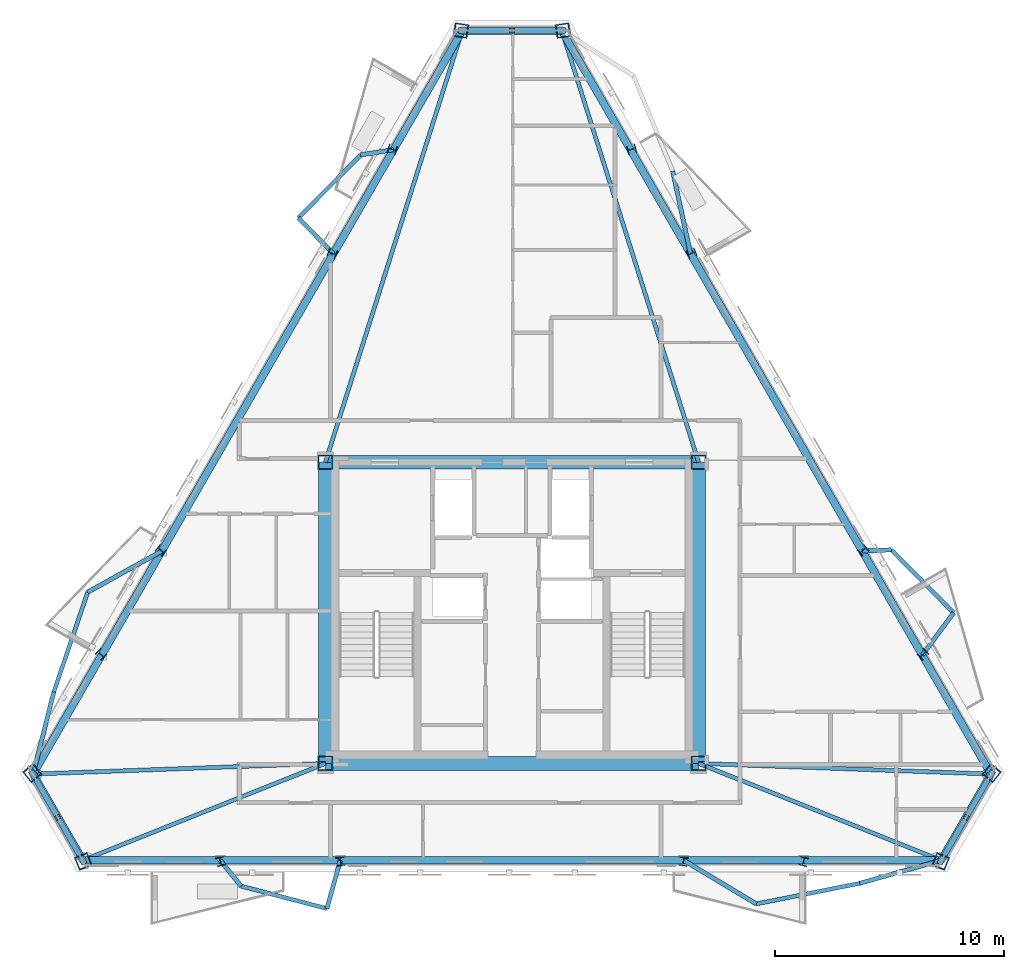
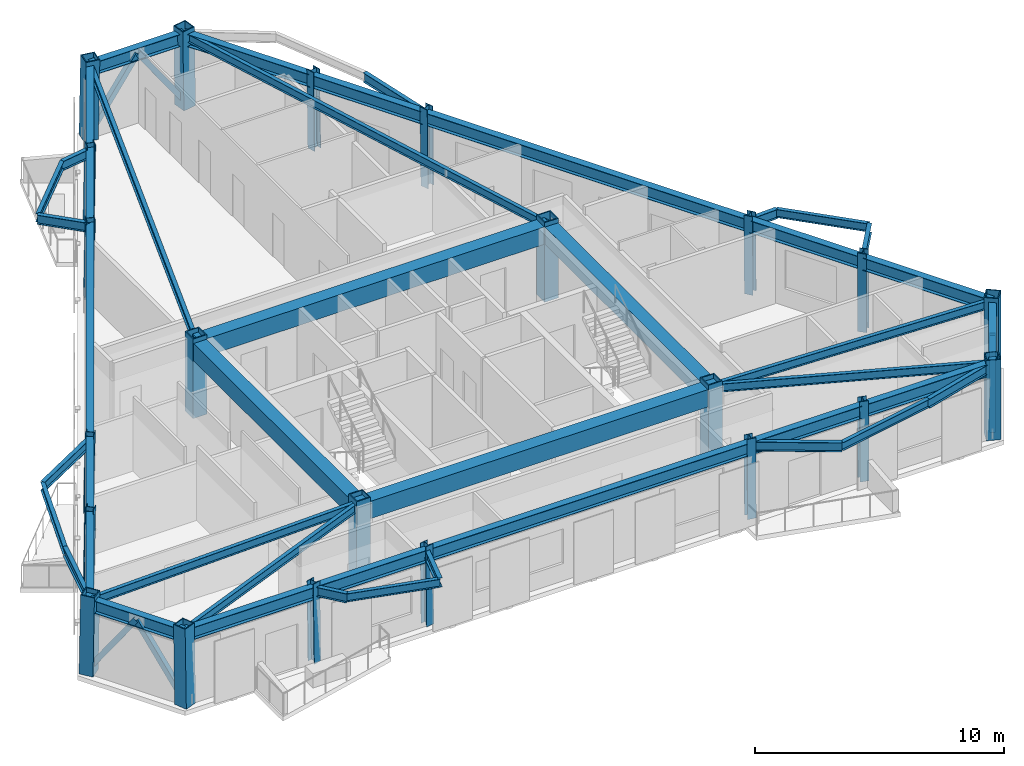
# One storey, part 1 of 9: 44 beams, 22 columns, 6 members.
"""IFC4 building model written with IfcOpenShell, lengths in metres."""

from ifc_helpers import new_model, si_unit, direction, frame, origin, origin_2d, place, context, subcontext, project, spatial, rectangle, hollow_rectangle, i_section, extrude, material, material_profile, profile_set, type_object, element, save


model = new_model("IFC4")

# Units and contexts
model_context = context("Model", 3, precision=1e-05, world=origin(), true_north=direction((0.0, 1.0)))
body_context = subcontext(model_context, "Body", "Model", "MODEL_VIEW")
ifc_project = project(units=[si_unit("LENGTHUNIT", "METRE"), si_unit("AREAUNIT", "SQUARE_METRE"), si_unit("VOLUMEUNIT", "CUBIC_METRE"), si_unit("PLANEANGLEUNIT", "RADIAN"), si_unit("MASSUNIT", "GRAM", prefix="KILO")], contexts=[model_context])

# Site, building, storey
site_placement = place(None, origin())
site = spatial("IfcSite", under=ifc_project, at=site_placement, CompositionType="ELEMENT")
building_placement = place(site_placement, origin())
building = spatial("IfcBuilding", under=site, at=building_placement, Name="Oramaril Tower", CompositionType="ELEMENT")
storey_placement = place(building_placement, frame((0.0, 0.0, 281.10009765625)))
storey = spatial("IfcBuildingStorey", under=building, at=storey_placement, Name="L74", CompositionType="ELEMENT", Elevation=281.10009765625)

# Columns
ifc_material_1 = material(Name="Steel ASTM A572 Gr 50", Category="steel")
ifc_material_profile_1 = material_profile(ifc_material_1, hollow_rectangle(XDim=0.64990234375, YDim=0.64990234375, WallThickness=0.050048828125, at=origin_2d()), Name="BOX650X650X50")
ifc_profile_set_1 = profile_set([ifc_material_profile_1], Name="Steel ASTM A572 Gr 50")
column_type_1 = type_object("IfcColumnType", Name="CT-CC5", PredefinedType="COLUMN", material=ifc_profile_set_1)
for number, where, z_axis, x_axis, name in (
    (1, (29.35009765625, 11.0, 0.0), (0.0, 0.0, 1.0), (1.0, 0.0, 0.0), "L74 Core Column CC-1"),
    (2, (45.64990234375, 11.0, 0.0), (0.0, 0.0, 1.0), (1.0, 0.0, 0.0), "L74 Core Column CC-2"),
    (3, (45.64990234375, 24.14990234375, 0.0), (0.0, 0.0, 1.0), (1.0, 0.0, 0.0), "L74 Core Column CC-3"),
    (4, (29.35009765625, 24.14990234375, 0.0), (0.0, 0.0, 1.0), (1.0, 0.0, 0.0), "L74 Core Column CC-4"),
):
    element("IfcColumn", number, at=place(storey_placement, frame(where, z_axis=z_axis, x_axis=x_axis)), inside=storey, type_object=column_type_1, Name=name, PredefinedType="COLUMN", context=body_context, shape_type="SweptSolid", body=[
        extrude(hollow_rectangle(XDim=0.64990234375, YDim=0.64990234375, WallThickness=0.050048828125, at=origin_2d()), origin(), (0.0, 0.0, 1.0), 3.89990234375),
    ])
ifc_material_2 = material(Name="Steel ASTM A572 Gr 50", Category="steel")
ifc_material_profile_2 = material_profile(ifc_material_2, hollow_rectangle(XDim=0.60009765625, YDim=0.60009765625, WallThickness=0.044921875, at=origin_2d()), Name="BOX600X600X45")
ifc_profile_set_2 = profile_set([ifc_material_profile_2], Name="Steel ASTM A572 Gr 50")
column_type_2 = type_object("IfcColumnType", Name="CT-TC5", PredefinedType="COLUMN", material=ifc_profile_set_2)
for number, where, z_axis, x_axis, name in (
    (5, (16.54638671875, 10.584228515625, 0.00439453125), (0.010037604731, -0.012547005913, 0.999870901234), (0.780868809443, 0.624695047554, 0.0), "L74 Tube Column TC-01"),
    (6, (18.7822265625, 6.711669921875, 0.00439453125), (-0.005834361274, 0.014930946057, 0.999871505284), (-0.931415895521, -0.363956631443, 0.0), "L74 Tube Column TC-02"),
    (7, (56.2177734375, 6.711669921875, 0.00439453125), (0.005834361274, 0.014930946057, 0.999871505284), (-0.931415895521, 0.363956631443, 0.0), "L74 Tube Column TC-03"),
    (8, (58.45361328125, 10.584228515625, 0.00439453125), (-0.010037604731, -0.012547005913, 0.999870901234), (0.780868809443, -0.624695047554, 0.0), "L74 Tube Column TC-04"),
    (9, (39.73583984375, 43.004150390625, 0.00439453125), (-0.015871967072, -0.002383931813, 0.999871190469), (0.148531585903, -0.988907664036, 0.0), "L74 Tube Column TC-05"),
    (10, (35.26416015625, 43.004150390625, 0.00439453125), (0.015871967072, -0.002383931813, 0.999871190469), (0.148531585903, 0.988907664036, 0.0), "L74 Tube Column TC-06"),
):
    element("IfcColumn", number, at=place(storey_placement, frame(where, z_axis=z_axis, x_axis=x_axis)), inside=storey, type_object=column_type_2, Name=name, PredefinedType="COLUMN", context=body_context, shape_type="SweptSolid", body=[
        extrude(hollow_rectangle(XDim=0.60009765625, YDim=0.60009765625, WallThickness=0.044921875, at=origin_2d()), origin(), (0.0, 0.0, 1.0), 3.8916015625),
    ])
ifc_material_3 = material(Name="Steel ASTM A572 Gr 50", Category="steel")
ifc_material_profile_3 = material_profile(ifc_material_3, i_section(OverallWidth=0.373046875, OverallDepth=0.373046875, WebThickness=0.016357421875, FlangeThickness=0.026123046875, at=origin_2d()), Name="W14X132")
ifc_profile_set_3 = profile_set([ifc_material_profile_3], Name="Steel ASTM A572 Gr 50")
column_type_3 = type_object("IfcColumnType", Name="CT-TF5", PredefinedType="COLUMN", material=ifc_profile_set_3)
for number, where, z_axis, x_axis, name in (
    (11, (24.77197265625, 6.711669921875, 0.00439453125), (-0.00395234565, 0.014931083566, 0.999880713739), (-0.966705227862, -0.255892560316, 0.0), "L74 Tube Column TC-07"),
    (12, (30.012939453125, 6.711669921875, 0.00439453125), (-0.00232123075, 0.014931159961, 0.999885829658), (-0.988130477704, -0.153616923004, 0.0), "L74 Tube Column TC-08"),
    (13, (44.987060546875, 6.711669921875, 0.00439453125), (0.00232123075, 0.014931159961, 0.999885829658), (-0.988130477704, 0.153616923004, 0.0), "L74 Tube Column TC-09"),
    (14, (50.22802734375, 6.711669921875, 0.00439453125), (0.00395234565, 0.014931083566, 0.999880713739), (-0.966705227862, 0.255892560316, 0.0), "L74 Tube Column TC-10"),
    (15, (55.458740234375, 15.771484375, 0.00439453125), (-0.010978731694, -0.010915996084, 0.999880147058), (0.705077792879, -0.709129964103, 0.0), "L74 Tube Column TC-11"),
    (16, (52.838134765625, 20.310302734375, 0.00439453125), (-0.011731624298, -0.00953586574, 0.999885711597), (0.630748834941, -0.775987053513, 0.0), "L74 Tube Column TC-12"),
    (17, (45.35107421875, 33.2783203125, 0.00439453125), (-0.014115587372, -0.005458027117, 0.999885473508), (0.360645192884, -0.932703085044, 0.0), "L74 Tube Column TC-13"),
    (18, (42.730712890625, 37.81689453125, 0.00439453125), (-0.014931079834, -0.004015080292, 0.999880463848), (0.259682438219, -0.965694067125, 0.0), "L74 Tube Column TC-14"),
    (19, (32.269287109375, 37.81689453125, 0.00439453125), (0.014931079834, -0.004015080292, 0.999880463848), (0.259682438219, 0.965694067125, 0.0), "L74 Tube Column TC-15"),
    (20, (29.64892578125, 33.2783203125, 0.00439453125), (0.014115587372, -0.005458027117, 0.999885473508), (0.360645192884, 0.932703085044, 0.0), "L74 Tube Column TC-16"),
    (21, (22.161865234375, 20.310302734375, 0.00439453125), (0.011731624298, -0.00953586574, 0.999885711597), (0.630748834941, 0.775987053513, 0.0), "L74 Tube Column TC-17"),
    (22, (19.541259765625, 15.771484375, 0.00439453125), (0.010978731694, -0.010915996084, 0.999880147058), (0.705077792879, 0.709129964103, 0.0), "L74 Tube Column TC-18"),
):
    element("IfcColumn", number, at=place(storey_placement, frame(where, z_axis=z_axis, x_axis=x_axis)), inside=storey, type_object=column_type_3, Name=name, PredefinedType="COLUMN", context=body_context, shape_type="SweptSolid", body=[
        extrude(i_section(OverallWidth=0.373046875, OverallDepth=0.373046875, WebThickness=0.016357421875, FlangeThickness=0.026123046875, at=origin_2d()), origin(), (0.0, 0.0, 1.0), 3.8916015625),
    ])

# Beams
ifc_material_4 = material(Name="Steel ASTM A572 Gr 50", Category="steel")
ifc_material_profile_4 = material_profile(ifc_material_4, i_section(OverallWidth=0.19091796875, OverallDepth=0.45703125, WebThickness=0.009033203125, FlangeThickness=0.014404296875, at=origin_2d()), Name="W18X50")
ifc_profile_set_4 = profile_set([ifc_material_profile_4], Name="Steel ASTM A572 Gr 50")
beam_type_1 = type_object("IfcBeamType", Name="BT-BB1", PredefinedType="BEAM", material=ifc_profile_set_4)
beam_1_placement = place(storey_placement, frame((24.756591796875, 6.769775390625, 3.451416015625), z_axis=(0.630130714141, -0.776489074679, 0.0), x_axis=(0.776489074679, 0.630130714141, 0.0)))
element("IfcBeam", 23, at=beam_1_placement, inside=storey, type_object=beam_type_1, Name="L74 Balcony Column-Framed Cantilever 01.1", PredefinedType="BEAM", context=body_context, shape_type="SweptSolid", body=[
    extrude(i_section(OverallWidth=0.19091796875, OverallDepth=0.45703125, WebThickness=0.009033203125, FlangeThickness=0.014404296875, at=origin_2d()), origin(), (0.0, 0.0, 1.0), 1.452880859375),
])
beam_2_placement = place(storey_placement, frame((30.00390625, 6.769775390625, 3.451416015625), z_axis=(-0.268616047588, -0.963247330117, 0.0), x_axis=(0.963247330117, -0.268616047588, 0.0)))
element("IfcBeam", 24, at=beam_2_placement, inside=storey, type_object=beam_type_1, Name="L74 Balcony Column-Framed Cantilever 01.2", PredefinedType="BEAM", context=body_context, shape_type="SweptSolid", body=[
    extrude(i_section(OverallWidth=0.19091796875, OverallDepth=0.45703125, WebThickness=0.009033203125, FlangeThickness=0.014404296875, at=origin_2d()), origin(), (0.0, 0.0, 1.0), 2.1884765625),
])
for number, where, z_axis, x_axis, name in (
    (25, (44.99609375, 6.769775390625, 3.451416015625), (0.857463813693, -0.514544272349, 0.0), (0.514544272349, 0.857463813693, 0.0), "L74 Balcony Column-Framed Cantilever 02.1"),
    (26, (56.240478515625, 6.769775390625, 3.451416015625), (-0.962227899272, -0.272245238456, 0.0), (0.272245238456, -0.962227899272, 0.0), "L74 Balcony Column-Framed Cantilever 02.2"),
):
    element("IfcBeam", number, at=place(storey_placement, frame(where, z_axis=z_axis, x_axis=x_axis)), inside=storey, type_object=beam_type_1, Name=name, PredefinedType="BEAM", context=body_context, shape_type="SweptSolid", body=[
        extrude(i_section(OverallWidth=0.19091796875, OverallDepth=0.45703125, WebThickness=0.009033203125, FlangeThickness=0.014404296875, at=origin_2d()), origin(), (0.0, 0.0, 1.0), 3.699951171875),
    ])
beam_3_placement = place(storey_placement, frame((55.416015625, 15.72900390625, 3.451416015625), z_axis=(0.59523009121, 0.803555311424, 0.0), x_axis=(-0.803555311424, 0.59523009121, 0.0)))
element("IfcBeam", 27, at=beam_3_placement, inside=storey, type_object=beam_type_1, Name="L74 Balcony Column-Framed Cantilever 03.1", PredefinedType="BEAM", context=body_context, shape_type="SweptSolid", body=[
    extrude(i_section(OverallWidth=0.19091796875, OverallDepth=0.45703125, WebThickness=0.009033203125, FlangeThickness=0.014404296875, at=origin_2d()), origin(), (0.0, 0.0, 1.0), 2.298095703125),
])
beam_4_placement = place(storey_placement, frame((52.79248046875, 20.273193359375, 3.451416015625), z_axis=(0.999066991841, 0.043187333941, 0.0), x_axis=(-0.043187333941, 0.999066991841, 0.0)))
element("IfcBeam", 28, at=beam_4_placement, inside=storey, type_object=beam_type_1, Name="L74 Balcony Column-Framed Cantilever 03.2", PredefinedType="BEAM", context=body_context, shape_type="SweptSolid", body=[
    extrude(i_section(OverallWidth=0.19091796875, OverallDepth=0.45703125, WebThickness=0.009033203125, FlangeThickness=0.014404296875, at=origin_2d()), origin(), (0.0, 0.0, 1.0), 1.27197265625),
])
beam_5_placement = place(storey_placement, frame((45.296142578125, 33.257080078125, 3.451416015625), z_axis=(-0.211286661336, 0.977424138612, 0.0), x_axis=(-0.977424138612, -0.211286661336, 0.0)))
element("IfcBeam", 29, at=beam_5_placement, inside=storey, type_object=beam_type_1, Name="L74 Balcony Column-Framed Cantilever 04.1", PredefinedType="BEAM", context=body_context, shape_type="SweptSolid", body=[
    extrude(i_section(OverallWidth=0.19091796875, OverallDepth=0.45703125, WebThickness=0.009033203125, FlangeThickness=0.014404296875, at=origin_2d()), origin(), (0.0, 0.0, 1.0), 3.689453125),
])
beam_6_placement = place(storey_placement, frame((32.327392578125, 37.80126953125, 3.451416015625), z_axis=(-0.987523346551, -0.15747266435, 0.0), x_axis=(0.15747266435, -0.987523346551, 0.0)))
element("IfcBeam", 30, at=beam_6_placement, inside=storey, type_object=beam_type_1, Name="L74 Balcony Column-Framed Cantilever 05.1", PredefinedType="BEAM", context=body_context, shape_type="SweptSolid", body=[
    extrude(i_section(OverallWidth=0.19091796875, OverallDepth=0.45703125, WebThickness=0.009033203125, FlangeThickness=0.014404296875, at=origin_2d()), origin(), (0.0, 0.0, 1.0), 1.45263671875),
])
beam_7_placement = place(storey_placement, frame((29.703857421875, 33.257080078125, 3.451416015625), z_axis=(-0.699930858637, 0.714210608383, 0.0), x_axis=(-0.714210608383, -0.699930858637, 0.0)))
element("IfcBeam", 31, at=beam_7_placement, inside=storey, type_object=beam_type_1, Name="L74 Balcony Column-Framed Cantilever 05.2", PredefinedType="BEAM", context=body_context, shape_type="SweptSolid", body=[
    extrude(i_section(OverallWidth=0.19091796875, OverallDepth=0.45703125, WebThickness=0.009033203125, FlangeThickness=0.014404296875, at=origin_2d()), origin(), (0.0, 0.0, 1.0), 2.1884765625),
])
for number, where, z_axis, x_axis, name in (
    (32, (22.20751953125, 20.273193359375, 3.451416015625), (-0.874371954304, -0.485256309105, 0.0), (0.485256309105, -0.874371954304, 0.0), "L74 Balcony Column-Framed Cantilever 06.1"),
    (33, (16.58544921875, 10.535400390625, 3.451416015625), (0.245391254889, 0.969424123913, 0.0), (-0.969424123913, 0.245391254889, 0.0), "L74 Balcony Column-Framed Cantilever 06.2"),
):
    element("IfcBeam", number, at=place(storey_placement, frame(where, z_axis=z_axis, x_axis=x_axis)), inside=storey, type_object=beam_type_1, Name=name, PredefinedType="BEAM", context=body_context, shape_type="SweptSolid", body=[
        extrude(i_section(OverallWidth=0.19091796875, OverallDepth=0.45703125, WebThickness=0.009033203125, FlangeThickness=0.014404296875, at=origin_2d()), origin(), (0.0, 0.0, 1.0), 3.699951171875),
    ])
ifc_material_5 = material(Name="Concrete C50/60", Category="concrete")
ifc_material_profile_5 = material_profile(ifc_material_5, rectangle(XDim=0.60009765625, YDim=0.85009765625, at=origin_2d()), Name="CB600X850")
ifc_profile_set_5 = profile_set([ifc_material_profile_5], Name="Concrete C50/60")
beam_type_2 = type_object("IfcBeamType", Name="BT-CB2", PredefinedType="BEAM", material=ifc_profile_set_5)
beam_8_placement = place(storey_placement, frame((29.35009765625, 11.0, 3.2548828125), z_axis=(1.0, 0.0, 0.0), x_axis=(0.0, 1.0, 0.0)))
element("IfcBeam", 34, at=beam_8_placement, inside=storey, type_object=beam_type_2, Name="L74 Core Header Beam CB-1", PredefinedType="BEAM", context=body_context, shape_type="SweptSolid", body=[
    extrude(rectangle(XDim=0.60009765625, YDim=0.85009765625, at=origin_2d()), origin(), (0.0, 0.0, 1.0), 16.2998046875),
])
beam_9_placement = place(storey_placement, frame((45.64990234375, 11.0, 3.2548828125), z_axis=(0.0, 1.0, 0.0), x_axis=(-1.0, 0.0, 0.0)))
element("IfcBeam", 35, at=beam_9_placement, inside=storey, type_object=beam_type_2, Name="L74 Core Header Beam CB-2", PredefinedType="BEAM", context=body_context, shape_type="SweptSolid", body=[
    extrude(rectangle(XDim=0.60009765625, YDim=0.85009765625, at=origin_2d()), origin(), (0.0, 0.0, 1.0), 13.14990234375),
])
beam_10_placement = place(storey_placement, frame((45.64990234375, 24.14990234375, 3.2548828125), z_axis=(-1.0, 0.0, 0.0), x_axis=(0.0, -1.0, 0.0)))
element("IfcBeam", 36, at=beam_10_placement, inside=storey, type_object=beam_type_2, Name="L74 Core Header Beam CB-3", PredefinedType="BEAM", context=body_context, shape_type="SweptSolid", body=[
    extrude(rectangle(XDim=0.60009765625, YDim=0.85009765625, at=origin_2d()), origin(), (0.0, 0.0, 1.0), 16.2998046875),
])
beam_11_placement = place(storey_placement, frame((29.35009765625, 24.14990234375, 3.2548828125), z_axis=(0.0, -1.0, 0.0), x_axis=(1.0, 0.0, 0.0)))
element("IfcBeam", 37, at=beam_11_placement, inside=storey, type_object=beam_type_2, Name="L74 Core Header Beam CB-4", PredefinedType="BEAM", context=body_context, shape_type="SweptSolid", body=[
    extrude(rectangle(XDim=0.60009765625, YDim=0.85009765625, at=origin_2d()), origin(), (0.0, 0.0, 1.0), 13.14990234375),
])
ifc_material_6 = material(Name="Steel ASTM A572 Gr 50", Category="steel")
ifc_material_profile_6 = material_profile(ifc_material_6, i_section(OverallWidth=0.177978515625, OverallDepth=0.404052734375, WebThickness=0.007568359375, FlangeThickness=0.010986328125, at=origin_2d()), Name="W16X36")
ifc_profile_set_6 = profile_set([ifc_material_profile_6], Name="Steel ASTM A572 Gr 50")
beam_type_3 = type_object("IfcBeamType", Name="BT-SB1", PredefinedType="BEAM", material=ifc_profile_set_6)
beam_12_placement = place(storey_placement, frame((29.35009765625, 11.0, 3.477783203125), z_axis=(-0.999338273197, -0.036373283106, 0.0), x_axis=(0.036373283106, -0.999338273197, 0.0)))
element("IfcBeam", 38, at=beam_12_placement, inside=storey, type_object=beam_type_3, Name="L74 Radial Primary Beam RB-01", PredefinedType="BEAM", context=body_context, shape_type="SweptSolid", body=[
    extrude(i_section(OverallWidth=0.177978515625, OverallDepth=0.404052734375, WebThickness=0.007568359375, FlangeThickness=0.010986328125, at=origin_2d()), origin(), (0.0, 0.0, 1.0), 12.773193359375),
])
for number, where, z_axis, x_axis, name in (
    (39, (29.35009765625, 11.0, 3.477783203125), (-0.928658178893, -0.370936634447, 0.0), (0.370936634447, -0.928658178893, 0.0), "L74 Radial Primary Beam RB-02"),
    (40, (45.64990234375, 11.0, 3.477783203125), (0.928658178893, -0.370936634447, 0.0), (0.370936634447, 0.928658178893, 0.0), "L74 Radial Primary Beam RB-03"),
):
    element("IfcBeam", number, at=place(storey_placement, frame(where, z_axis=z_axis, x_axis=x_axis)), inside=storey, type_object=beam_type_3, Name=name, PredefinedType="BEAM", context=body_context, shape_type="SweptSolid", body=[
        extrude(i_section(OverallWidth=0.177978515625, OverallDepth=0.404052734375, WebThickness=0.007568359375, FlangeThickness=0.010986328125, at=origin_2d()), origin(), (0.0, 0.0, 1.0), 11.404052734375),
    ])
beam_13_placement = place(storey_placement, frame((45.64990234375, 11.0, 3.477783203125), z_axis=(0.999338273197, -0.036373283106, 0.0), x_axis=(0.036373283106, 0.999338273197, 0.0)))
element("IfcBeam", 41, at=beam_13_placement, inside=storey, type_object=beam_type_3, Name="L74 Radial Primary Beam RB-04", PredefinedType="BEAM", context=body_context, shape_type="SweptSolid", body=[
    extrude(i_section(OverallWidth=0.177978515625, OverallDepth=0.404052734375, WebThickness=0.007568359375, FlangeThickness=0.010986328125, at=origin_2d()), origin(), (0.0, 0.0, 1.0), 12.773193359375),
])
for number, where, z_axis, x_axis, name in (
    (42, (45.64990234375, 24.14990234375, 3.477783203125), (-0.302271229094, 0.953221959494, 0.0), (-0.953221959494, -0.302271229094, 0.0), "L74 Radial Primary Beam RB-05"),
    (43, (29.35009765625, 24.14990234375, 3.477783203125), (0.302271229094, 0.953221959494, 0.0), (-0.953221959494, 0.302271229094, 0.0), "L74 Radial Primary Beam RB-06"),
):
    element("IfcBeam", number, at=place(storey_placement, frame(where, z_axis=z_axis, x_axis=x_axis)), inside=storey, type_object=beam_type_3, Name=name, PredefinedType="BEAM", context=body_context, shape_type="SweptSolid", body=[
        extrude(i_section(OverallWidth=0.177978515625, OverallDepth=0.404052734375, WebThickness=0.007568359375, FlangeThickness=0.010986328125, at=origin_2d()), origin(), (0.0, 0.0, 1.0), 19.769775390625),
    ])
beam_14_placement = place(storey_placement, frame((25.672119140625, 5.6416015625, 3.477783203125), z_axis=(0.967407922874, -0.253223045479, 0.0), x_axis=(0.253223045479, 0.967407922874, 0.0)))
element("IfcBeam", 44, at=beam_14_placement, inside=storey, type_object=beam_type_3, Name="L74 Balcony Edge Tie Beam 01", PredefinedType="BEAM", context=body_context, shape_type="SweptSolid", body=[
    extrude(i_section(OverallWidth=0.177978515625, OverallDepth=0.404052734375, WebThickness=0.007568359375, FlangeThickness=0.010986328125, at=origin_2d()), origin(), (0.0, 0.0, 1.0), 3.8701171875),
])
beam_15_placement = place(storey_placement, frame((48.168701171875, 4.865966796875, 3.477783203125), z_axis=(0.980822855938, 0.194901321879, 0.0), x_axis=(-0.194901321879, 0.980822855938, 0.0)))
element("IfcBeam", 45, at=beam_15_placement, inside=storey, type_object=beam_type_3, Name="L74 Balcony Edge Tie Beam 02", PredefinedType="BEAM", context=body_context, shape_type="SweptSolid", body=[
    extrude(i_section(OverallWidth=0.177978515625, OverallDepth=0.404052734375, WebThickness=0.007568359375, FlangeThickness=0.010986328125, at=origin_2d()), origin(), (0.0, 0.0, 1.0), 4.599609375),
])
for number, where, z_axis, x_axis, name in (
    (46, (56.783935546875, 17.57568359375, 3.477783203125), (-0.702994511648, 0.71119527318, 0.0), (-0.71119527318, -0.702994511648, 0.0), "L74 Balcony Edge Tie Beam 03"),
    (47, (30.892822265625, 37.572509765625, 3.477783203125), (-0.702994511648, -0.71119527318, 0.0), (0.71119527318, -0.702994511648, 0.0), "L74 Balcony Edge Tie Beam 05"),
):
    element("IfcBeam", number, at=place(storey_placement, frame(where, z_axis=z_axis, x_axis=x_axis)), inside=storey, type_object=beam_type_3, Name=name, PredefinedType="BEAM", context=body_context, shape_type="SweptSolid", body=[
        extrude(i_section(OverallWidth=0.177978515625, OverallDepth=0.404052734375, WebThickness=0.007568359375, FlangeThickness=0.010986328125, at=origin_2d()), origin(), (0.0, 0.0, 1.0), 3.8701171875),
    ])
beam_16_placement = place(storey_placement, frame((18.972412109375, 18.477783203125, 3.477783203125), z_axis=(-0.32154112315, -0.94689561522, 0.0), x_axis=(0.94689561522, -0.32154112315, 0.0)))
element("IfcBeam", 48, at=beam_16_placement, inside=storey, type_object=beam_type_3, Name="L74 Balcony Edge Tie Beam 06", PredefinedType="BEAM", context=body_context, shape_type="SweptSolid", body=[
    extrude(i_section(OverallWidth=0.177978515625, OverallDepth=0.404052734375, WebThickness=0.007568359375, FlangeThickness=0.010986328125, at=origin_2d()), origin(), (0.0, 0.0, 1.0), 4.599853515625),
])
ifc_material_7 = material(Name="Steel ASTM A572 Gr 50", Category="steel")
ifc_material_profile_7 = material_profile(ifc_material_7, i_section(OverallWidth=0.324951171875, OverallDepth=0.612060546875, WebThickness=0.0126953125, FlangeThickness=0.01904296875, at=origin_2d()), Name="W24X104")
ifc_profile_set_7 = profile_set([ifc_material_profile_7], Name="Steel ASTM A572 Gr 50")
beam_type_4 = type_object("IfcBeamType", Name="BT-SP5", PredefinedType="SPANDREL", material=ifc_profile_set_7)
beam_17_placement = place(storey_placement, frame((16.58544921875, 10.535400390625, 3.3740234375), z_axis=(0.499997871204, -0.866026632842, 0.0), x_axis=(0.866026632842, 0.499997871204, 0.0)))
element("IfcBeam", 49, at=beam_17_placement, inside=storey, type_object=beam_type_4, Name="L74 Perimeter Spandrel 01", PredefinedType="SPANDREL", context=body_context, shape_type="SweptSolid", body=[
    extrude(i_section(OverallWidth=0.324951171875, OverallDepth=0.612060546875, WebThickness=0.0126953125, FlangeThickness=0.01904296875, at=origin_2d()), origin(), (0.0, 0.0, 1.0), 4.34814453125),
])
beam_18_placement = place(storey_placement, frame((18.759521484375, 6.769775390625, 3.3740234375), z_axis=(1.0, 0.0, 0.0), x_axis=(0.0, 1.0, 0.0)))
element("IfcBeam", 50, at=beam_18_placement, inside=storey, type_object=beam_type_4, Name="L74 Perimeter Spandrel 02", PredefinedType="SPANDREL", context=body_context, shape_type="SweptSolid", body=[
    extrude(i_section(OverallWidth=0.324951171875, OverallDepth=0.612060546875, WebThickness=0.0126953125, FlangeThickness=0.01904296875, at=origin_2d()), origin(), (0.0, 0.0, 1.0), 5.9970703125),
])
beam_19_placement = place(storey_placement, frame((24.756591796875, 6.769775390625, 3.3740234375), z_axis=(1.0, 0.0, 0.0), x_axis=(0.0, 1.0, 0.0)))
element("IfcBeam", 51, at=beam_19_placement, inside=storey, type_object=beam_type_4, Name="L74 Perimeter Spandrel 03", PredefinedType="SPANDREL", context=body_context, shape_type="SweptSolid", body=[
    extrude(i_section(OverallWidth=0.324951171875, OverallDepth=0.612060546875, WebThickness=0.0126953125, FlangeThickness=0.01904296875, at=origin_2d()), origin(), (0.0, 0.0, 1.0), 5.247314453125),
])
beam_20_placement = place(storey_placement, frame((30.00390625, 6.769775390625, 3.3740234375), z_axis=(1.0, 0.0, 0.0), x_axis=(0.0, 1.0, 0.0)))
element("IfcBeam", 52, at=beam_20_placement, inside=storey, type_object=beam_type_4, Name="L74 Perimeter Spandrel 04", PredefinedType="SPANDREL", context=body_context, shape_type="SweptSolid", body=[
    extrude(i_section(OverallWidth=0.324951171875, OverallDepth=0.612060546875, WebThickness=0.0126953125, FlangeThickness=0.01904296875, at=origin_2d()), origin(), (0.0, 0.0, 1.0), 14.9921875),
])
beam_21_placement = place(storey_placement, frame((44.99609375, 6.769775390625, 3.3740234375), z_axis=(1.0, 0.0, 0.0), x_axis=(0.0, 1.0, 0.0)))
element("IfcBeam", 53, at=beam_21_placement, inside=storey, type_object=beam_type_4, Name="L74 Perimeter Spandrel 05", PredefinedType="SPANDREL", context=body_context, shape_type="SweptSolid", body=[
    extrude(i_section(OverallWidth=0.324951171875, OverallDepth=0.612060546875, WebThickness=0.0126953125, FlangeThickness=0.01904296875, at=origin_2d()), origin(), (0.0, 0.0, 1.0), 5.247314453125),
])
beam_22_placement = place(storey_placement, frame((50.243408203125, 6.769775390625, 3.3740234375), z_axis=(1.0, 0.0, 0.0), x_axis=(0.0, 1.0, 0.0)))
element("IfcBeam", 54, at=beam_22_placement, inside=storey, type_object=beam_type_4, Name="L74 Perimeter Spandrel 06", PredefinedType="SPANDREL", context=body_context, shape_type="SweptSolid", body=[
    extrude(i_section(OverallWidth=0.324951171875, OverallDepth=0.612060546875, WebThickness=0.0126953125, FlangeThickness=0.01904296875, at=origin_2d()), origin(), (0.0, 0.0, 1.0), 5.9970703125),
])
beam_23_placement = place(storey_placement, frame((56.240478515625, 6.769775390625, 3.3740234375), z_axis=(0.499997871204, 0.866026632842, 0.0), x_axis=(-0.866026632842, 0.499997871204, 0.0)))
element("IfcBeam", 55, at=beam_23_placement, inside=storey, type_object=beam_type_4, Name="L74 Perimeter Spandrel 07", PredefinedType="SPANDREL", context=body_context, shape_type="SweptSolid", body=[
    extrude(i_section(OverallWidth=0.324951171875, OverallDepth=0.612060546875, WebThickness=0.0126953125, FlangeThickness=0.01904296875, at=origin_2d()), origin(), (0.0, 0.0, 1.0), 4.34814453125),
])
beam_24_placement = place(storey_placement, frame((58.41455078125, 10.535400390625, 3.3740234375), z_axis=(-0.500000846469, 0.866024915075, 0.0), x_axis=(-0.866024915075, -0.500000846469, 0.0)))
element("IfcBeam", 56, at=beam_24_placement, inside=storey, type_object=beam_type_4, Name="L74 Perimeter Spandrel 08", PredefinedType="SPANDREL", context=body_context, shape_type="SweptSolid", body=[
    extrude(i_section(OverallWidth=0.324951171875, OverallDepth=0.612060546875, WebThickness=0.0126953125, FlangeThickness=0.01904296875, at=origin_2d()), origin(), (0.0, 0.0, 1.0), 5.9970703125),
])
beam_25_placement = place(storey_placement, frame((55.416015625, 15.72900390625, 3.3740234375), z_axis=(-0.499992303266, 0.86602984745, 0.0), x_axis=(-0.86602984745, -0.499992303266, 0.0)))
element("IfcBeam", 57, at=beam_25_placement, inside=storey, type_object=beam_type_4, Name="L74 Perimeter Spandrel 09", PredefinedType="SPANDREL", context=body_context, shape_type="SweptSolid", body=[
    extrude(i_section(OverallWidth=0.324951171875, OverallDepth=0.612060546875, WebThickness=0.0126953125, FlangeThickness=0.01904296875, at=origin_2d()), origin(), (0.0, 0.0, 1.0), 5.2470703125),
])
beam_26_placement = place(storey_placement, frame((52.79248046875, 20.273193359375, 3.3740234375), z_axis=(-0.500004372088, 0.866022879544, 0.0), x_axis=(-0.866022879544, -0.500004372088, 0.0)))
element("IfcBeam", 58, at=beam_26_placement, inside=storey, type_object=beam_type_4, Name="L74 Perimeter Spandrel 10", PredefinedType="SPANDREL", context=body_context, shape_type="SweptSolid", body=[
    extrude(i_section(OverallWidth=0.324951171875, OverallDepth=0.612060546875, WebThickness=0.0126953125, FlangeThickness=0.01904296875, at=origin_2d()), origin(), (0.0, 0.0, 1.0), 14.992431640625),
])
beam_27_placement = place(storey_placement, frame((45.296142578125, 33.257080078125, 3.3740234375), z_axis=(-0.499992303266, 0.86602984745, 0.0), x_axis=(-0.86602984745, -0.499992303266, 0.0)))
element("IfcBeam", 59, at=beam_27_placement, inside=storey, type_object=beam_type_4, Name="L74 Perimeter Spandrel 11", PredefinedType="SPANDREL", context=body_context, shape_type="SweptSolid", body=[
    extrude(i_section(OverallWidth=0.324951171875, OverallDepth=0.612060546875, WebThickness=0.0126953125, FlangeThickness=0.01904296875, at=origin_2d()), origin(), (0.0, 0.0, 1.0), 5.2470703125),
])
beam_28_placement = place(storey_placement, frame((42.672607421875, 37.80126953125, 3.3740234375), z_axis=(-0.500000846469, 0.866024915075, 0.0), x_axis=(-0.866024915075, -0.500000846469, 0.0)))
element("IfcBeam", 60, at=beam_28_placement, inside=storey, type_object=beam_type_4, Name="L74 Perimeter Spandrel 12", PredefinedType="SPANDREL", context=body_context, shape_type="SweptSolid", body=[
    extrude(i_section(OverallWidth=0.324951171875, OverallDepth=0.612060546875, WebThickness=0.0126953125, FlangeThickness=0.01904296875, at=origin_2d()), origin(), (0.0, 0.0, 1.0), 5.9970703125),
])
beam_29_placement = place(storey_placement, frame((39.674072265625, 42.994873046875, 3.3740234375), z_axis=(-1.0, 0.0, 0.0), x_axis=(0.0, -1.0, 0.0)))
element("IfcBeam", 61, at=beam_29_placement, inside=storey, type_object=beam_type_4, Name="L74 Perimeter Spandrel 13", PredefinedType="SPANDREL", context=body_context, shape_type="SweptSolid", body=[
    extrude(i_section(OverallWidth=0.324951171875, OverallDepth=0.612060546875, WebThickness=0.0126953125, FlangeThickness=0.01904296875, at=origin_2d()), origin(), (0.0, 0.0, 1.0), 4.34814453125),
])
beam_30_placement = place(storey_placement, frame((35.325927734375, 42.994873046875, 3.3740234375), z_axis=(-0.500000846469, -0.866024915075, 0.0), x_axis=(0.866024915075, -0.500000846469, 0.0)))
element("IfcBeam", 62, at=beam_30_placement, inside=storey, type_object=beam_type_4, Name="L74 Perimeter Spandrel 14", PredefinedType="SPANDREL", context=body_context, shape_type="SweptSolid", body=[
    extrude(i_section(OverallWidth=0.324951171875, OverallDepth=0.612060546875, WebThickness=0.0126953125, FlangeThickness=0.01904296875, at=origin_2d()), origin(), (0.0, 0.0, 1.0), 5.9970703125),
])
beam_31_placement = place(storey_placement, frame((32.327392578125, 37.80126953125, 3.3740234375), z_axis=(-0.499992303266, -0.86602984745, 0.0), x_axis=(0.86602984745, -0.499992303266, 0.0)))
element("IfcBeam", 63, at=beam_31_placement, inside=storey, type_object=beam_type_4, Name="L74 Perimeter Spandrel 15", PredefinedType="SPANDREL", context=body_context, shape_type="SweptSolid", body=[
    extrude(i_section(OverallWidth=0.324951171875, OverallDepth=0.612060546875, WebThickness=0.0126953125, FlangeThickness=0.01904296875, at=origin_2d()), origin(), (0.0, 0.0, 1.0), 5.2470703125),
])
beam_32_placement = place(storey_placement, frame((29.703857421875, 33.257080078125, 3.3740234375), z_axis=(-0.500004372088, -0.866022879544, 0.0), x_axis=(0.866022879544, -0.500004372088, 0.0)))
element("IfcBeam", 64, at=beam_32_placement, inside=storey, type_object=beam_type_4, Name="L74 Perimeter Spandrel 16", PredefinedType="SPANDREL", context=body_context, shape_type="SweptSolid", body=[
    extrude(i_section(OverallWidth=0.324951171875, OverallDepth=0.612060546875, WebThickness=0.0126953125, FlangeThickness=0.01904296875, at=origin_2d()), origin(), (0.0, 0.0, 1.0), 14.992431640625),
])
beam_33_placement = place(storey_placement, frame((22.20751953125, 20.273193359375, 3.3740234375), z_axis=(-0.499992303266, -0.86602984745, 0.0), x_axis=(0.86602984745, -0.499992303266, 0.0)))
element("IfcBeam", 65, at=beam_33_placement, inside=storey, type_object=beam_type_4, Name="L74 Perimeter Spandrel 17", PredefinedType="SPANDREL", context=body_context, shape_type="SweptSolid", body=[
    extrude(i_section(OverallWidth=0.324951171875, OverallDepth=0.612060546875, WebThickness=0.0126953125, FlangeThickness=0.01904296875, at=origin_2d()), origin(), (0.0, 0.0, 1.0), 5.2470703125),
])
beam_34_placement = place(storey_placement, frame((19.583984375, 15.72900390625, 3.3740234375), z_axis=(-0.500000846469, -0.866024915075, 0.0), x_axis=(0.866024915075, -0.500000846469, 0.0)))
element("IfcBeam", 66, at=beam_34_placement, inside=storey, type_object=beam_type_4, Name="L74 Perimeter Spandrel 18", PredefinedType="SPANDREL", context=body_context, shape_type="SweptSolid", body=[
    extrude(i_section(OverallWidth=0.324951171875, OverallDepth=0.612060546875, WebThickness=0.0126953125, FlangeThickness=0.01904296875, at=origin_2d()), origin(), (0.0, 0.0, 1.0), 5.9970703125),
])

# Members
ifc_material_8 = material(Name="Steel ASTM A572 Gr 50", Category="steel")
ifc_material_profile_8 = material_profile(ifc_material_8, hollow_rectangle(XDim=0.25, YDim=0.25, WallThickness=0.011962890625, at=origin_2d()), Name="HSS250X250X12")
ifc_profile_set_8 = profile_set([ifc_material_profile_8], Name="Steel ASTM A572 Gr 50")
member_type = type_object("IfcMemberType", Name="MT-KB3", PredefinedType="BRACE", material=ifc_profile_set_8)
for number, where, z_axis, x_axis, name in (
    (67, (16.54638671875, 10.584228515625, 0.179931640625), (0.286729611673, -0.496626457781, 0.819236407407), (0.866023748172, 0.500002867593, 0.0), "L74 Perimeter Chevron Brace KB-1A"),
    (68, (18.7822265625, 6.711669921875, 0.179931640625), (-0.286729611673, 0.496626457781, 0.819236407407), (-0.866023748172, -0.500002867593, 0.0), "L74 Perimeter Chevron Brace KB-1B"),
    (69, (56.2177734375, 6.711669921875, 0.179931640625), (0.286729611673, 0.496626457781, 0.819236407407), (-0.866023748172, 0.500002867593, 0.0), "L74 Perimeter Chevron Brace KB-2A"),
    (70, (58.45361328125, 10.584228515625, 0.179931640625), (-0.286729611673, -0.496626457781, 0.819236407407), (0.866023748172, -0.500002867593, 0.0), "L74 Perimeter Chevron Brace KB-2B"),
    (71, (39.73583984375, 43.004150390625, 0.179931640625), (-0.573458141787, 0.0, 0.819234862306), (0.0, -1.0, 0.0), "L74 Perimeter Chevron Brace KB-3A"),
    (72, (35.26416015625, 43.004150390625, 0.179931640625), (0.573458141787, 0.0, 0.819234862306), (0.0, 1.0, 0.0), "L74 Perimeter Chevron Brace KB-3B"),
):
    element("IfcMember", number, at=place(storey_placement, frame(where, z_axis=z_axis, x_axis=x_axis)), inside=storey, type_object=member_type, Name=name, PredefinedType="BRACE", context=body_context, shape_type="SweptSolid", body=[
        extrude(hollow_rectangle(XDim=0.25, YDim=0.25, WallThickness=0.011962890625, at=origin_2d()), origin(), (0.0, 0.0, 1.0), 3.89892578125),
    ])

save(model, "model.ifc")
